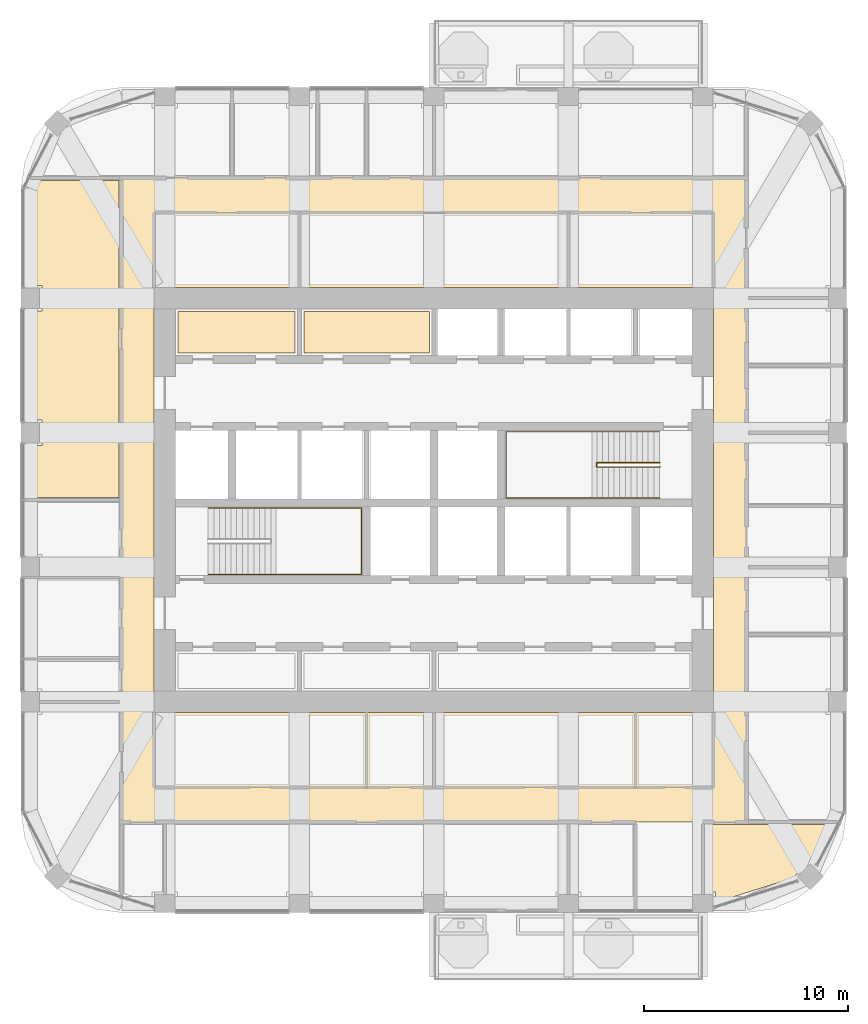
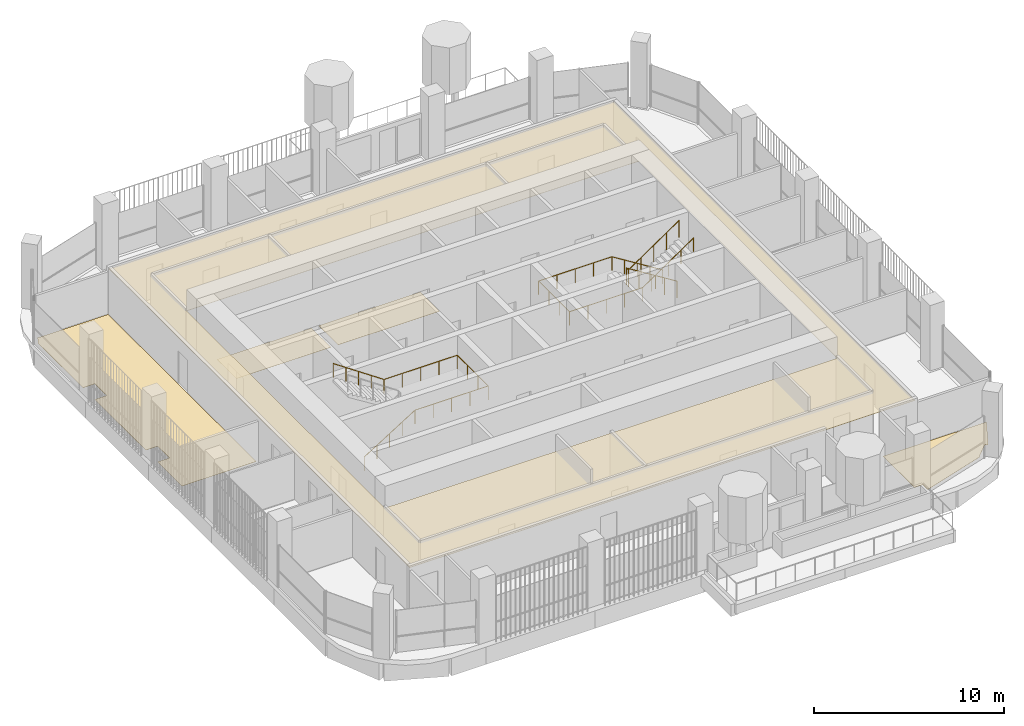
# One storey, part 19 of 21: 5 coverings, 3 railings.
"""IFC4 building model written with IfcOpenShell, lengths in metres."""

from ifc_helpers import new_model, si_unit, direction, frame, origin, place, context, subcontext, project, spatial, polyline, outline, extrude, material, layer, layer_set, type_object, element, save


model = new_model("IFC4")

# Units and contexts
model_context = context("Model", 3, precision=1e-05, world=origin(), true_north=direction((0.0, 1.0)))
body_context = subcontext(model_context, "Body", "Model", "MODEL_VIEW")
ifc_project = project(units=[si_unit("LENGTHUNIT", "METRE"), si_unit("AREAUNIT", "SQUARE_METRE"), si_unit("VOLUMEUNIT", "CUBIC_METRE"), si_unit("PLANEANGLEUNIT", "RADIAN"), si_unit("MASSUNIT", "GRAM", prefix="KILO")], contexts=[model_context])

# Site, building, storey
site_placement = place(None, origin())
site = spatial("IfcSite", under=ifc_project, at=site_placement, CompositionType="ELEMENT")
building_placement = place(site_placement, origin())
building = spatial("IfcBuilding", under=site, at=building_placement, Name="Cobogo Forest Laboratory Tower", CompositionType="ELEMENT")
storey_placement = place(building_placement, frame((0.0, 0.0, 275.39990234375)))
storey = spatial("IfcBuildingStorey", under=building, at=storey_placement, Name="L63", CompositionType="ELEMENT", Elevation=275.39990234375)

# Coverings
ifc_material_1 = material(Name="Mineral fibre ceiling tile", Category="ceiling")
ifc_layer_1 = layer(ifc_material_1, 0.02001953125)
ifc_layer_set_1 = layer_set([ifc_layer_1], Name="CL1 suspended ceiling")
covering_type_1 = type_object("IfcCoveringType", Name="CL1 suspended ceiling", PredefinedType="CEILING", material=ifc_layer_set_1)
covering_1_placement = place(storey_placement, frame((0.0, 0.0, 2.800048828125)))
element("IfcCovering", 1, at=covering_1_placement, inside=storey, type_object=covering_type_1, Name="Corridor ceiling L63", PredefinedType="CEILING", context=body_context, shape_type="SweptSolid", body=[
    extrude(outline(polyline([(11.074951171875, 7.300048828125), (11.074951171875, 38.89990234375), (41.72509765625, 38.89990234375), (41.72509765625, 7.300048828125), (11.074951171875, 7.300048828125)]), holes=[polyline([(40.125, 33.52490234375), (12.675048828125, 33.52490234375), (12.675048828125, 12.675048828125), (40.125, 12.675048828125), (40.125, 33.52490234375)])]), origin(), (0.0, 0.0, 1.0), 0.02001953125),
])
ifc_material_2 = material(Name="Carpet tile on raised access floor", Category="flooring")
ifc_layer_2 = layer(ifc_material_2, 0.008056640625)
ifc_layer_set_2 = layer_set([ifc_layer_2], Name="CT1 carpet tile floor 8")
covering_type_2 = type_object("IfcCoveringType", Name="CT1 carpet tile floor 8", PredefinedType="FLOORING", material=ifc_layer_set_2)
covering_2_placement = place(storey_placement, origin())
element("IfcCovering", 2, at=covering_2_placement, inside=storey, type_object=covering_type_2, Name="Carpet floor L63-11", PredefinedType="FLOORING", context=body_context, shape_type="SweptSolid", body=[
    extrude(outline(polyline([(44.10986328125, 4.583984375), (40.219970703125, 3.35546875), (40.219970703125, 3.8701171875), (39.719970703125, 3.8701171875), (39.719970703125, 7.179931640625), (45.999267578125, 7.179931640625), (45.010986328125, 5.294921875), (44.882080078125, 5.424072265625), (44.075927734375, 4.617919921875), (44.10986328125, 4.583984375)])), origin(), (0.0, 0.0, 1.0), 0.008056640625),
])
covering_3_placement = place(storey_placement, origin())
element("IfcCovering", 3, at=covering_3_placement, inside=storey, type_object=covering_type_2, Name="Carpet floor L63-28", PredefinedType="FLOORING", context=body_context, shape_type="SweptSolid", body=[
    extrude(outline(polyline([(10.955078125, 23.219970703125), (6.449951171875, 23.219970703125), (6.449951171875, 25.780029296875), (7.169921875, 25.780029296875), (7.169921875, 27.02001953125), (6.449951171875, 27.02001953125), (6.449951171875, 32.3798828125), (7.169921875, 32.3798828125), (7.169921875, 33.6201171875), (6.449951171875, 33.6201171875), (6.449951171875, 38.350830078125), (6.675048828125, 38.780029296875), (10.955078125, 38.780029296875), (10.955078125, 23.219970703125)])), origin(), (0.0, 0.0, 1.0), 0.008056640625),
])
covering_4_placement = place(storey_placement, origin())
element("IfcCovering", 4, at=covering_4_placement, inside=storey, type_object=covering_type_2, Name="Carpet floor L63-39", PredefinedType="FLOORING", context=body_context, shape_type="SweptSolid", body=[
    extrude(outline(polyline([(19.580078125, 30.320068359375), (13.844970703125, 30.320068359375), (13.844970703125, 32.35498046875), (19.580078125, 32.35498046875), (19.580078125, 30.320068359375)])), origin(), (0.0, 0.0, 1.0), 0.008056640625),
])

# Railings
ifc_material_3 = material(Name="Steel balustrade", Category="steel")
railing_type_1 = type_object("IfcRailingType", Name="GR stair guard 1100", PredefinedType="GUARDRAIL", material=ifc_material_3)
railing_1_placement = place(storey_placement, frame((37.47509765625, 24.929931640625, 0.175048828125)))
element("IfcRailing", 5, at=railing_1_placement, inside=storey, type_object=railing_type_1, Name="Stair guard ST2 L63", PredefinedType="GUARDRAIL", context=body_context, shape_type="SweptSolid", body=[
    extrude(outline(polyline([(0.022216796875, 0.00927734375), (0.00927734375, 0.022216796875), (-0.00927734375, 0.022216796875), (-0.022216796875, 0.00927734375), (-0.022216796875, -0.00927734375), (-0.00927734375, -0.022216796875), (0.00927734375, -0.022216796875), (0.022216796875, -0.00927734375), (0.022216796875, 0.00927734375)])), frame((0.0, 0.0, 1.077880859375), z_axis=(-0.847998304005, 0.0, 0.529998940003), x_axis=(0.0, -1.0, 0.0)), (0.0, 0.0, 1.0), 3.632080078125),
    extrude(outline(polyline([(0.022216796875, 0.00927734375), (0.00927734375, 0.022216796875), (-0.00927734375, 0.022216796875), (-0.022216796875, 0.00927734375), (-0.022216796875, -0.00927734375), (-0.00927734375, -0.022216796875), (0.00927734375, -0.022216796875), (0.022216796875, -0.00927734375), (0.022216796875, 0.00927734375)])), frame((-3.080078125, 0.0, 3.0029296875), z_axis=(0.0, -1.0, 0.0), x_axis=(1.0, 0.0, 0.0)), (0.0, 0.0, 1.0), 0.2099609375),
    extrude(outline(polyline([(0.022216796875, 0.00927734375), (0.00927734375, 0.022216796875), (-0.00927734375, 0.022216796875), (-0.022216796875, 0.00927734375), (-0.022216796875, -0.00927734375), (-0.00927734375, -0.022216796875), (0.00927734375, -0.022216796875), (0.022216796875, -0.00927734375), (0.022216796875, 0.00927734375)])), frame((-3.080078125, -0.2099609375, 3.0029296875), z_axis=(0.826221800596, 0.0, 0.563344953133), x_axis=(0.0, 1.0, 0.0)), (0.0, 0.0, 1.0), 3.72802734375),
    extrude(outline(polyline([(0.019287109375, 0.008056640625), (0.008056640625, 0.019287109375), (-0.008056640625, 0.019287109375), (-0.019287109375, 0.008056640625), (-0.019287109375, -0.008056640625), (-0.008056640625, -0.019287109375), (0.008056640625, -0.019287109375), (0.019287109375, -0.008056640625), (0.019287109375, 0.008056640625)])), origin(), (0.0, 0.0, 1.0), 1.077880859375),
    extrude(outline(polyline([(0.019287109375, 0.008056640625), (0.008056640625, 0.019287109375), (-0.008056640625, 0.019287109375), (-0.019287109375, 0.008056640625), (-0.019287109375, -0.008056640625), (-0.008056640625, -0.019287109375), (0.008056640625, -0.019287109375), (0.019287109375, -0.008056640625), (0.019287109375, 0.008056640625)])), frame((-0.77001953125, 0.0, 0.481201171875)), (0.0, 0.0, 1.0), 1.077880859375),
    extrude(outline(polyline([(0.019287109375, 0.008056640625), (0.008056640625, 0.019287109375), (-0.008056640625, 0.019287109375), (-0.019287109375, 0.008056640625), (-0.019287109375, -0.008056640625), (-0.008056640625, -0.019287109375), (0.008056640625, -0.019287109375), (0.019287109375, -0.008056640625), (0.019287109375, 0.008056640625)])), frame((-1.5400390625, 0.0, 0.96240234375)), (0.0, 0.0, 1.0), 1.077880859375),
    extrude(outline(polyline([(0.019287109375, 0.008056640625), (0.008056640625, 0.019287109375), (-0.008056640625, 0.019287109375), (-0.019287109375, 0.008056640625), (-0.019287109375, -0.008056640625), (-0.008056640625, -0.019287109375), (0.008056640625, -0.019287109375), (0.019287109375, -0.008056640625), (0.019287109375, 0.008056640625)])), frame((-2.31005859375, 0.0, 1.44384765625)), (0.0, 0.0, 1.0), 1.077880859375),
    extrude(outline(polyline([(0.019287109375, 0.008056640625), (0.008056640625, 0.019287109375), (-0.008056640625, 0.019287109375), (-0.019287109375, 0.008056640625), (-0.019287109375, -0.008056640625), (-0.008056640625, -0.019287109375), (0.008056640625, -0.019287109375), (0.019287109375, -0.008056640625), (0.019287109375, 0.008056640625)])), frame((-3.080078125, 0.0, 1.925048828125)), (0.0, 0.0, 1.0), 1.077880859375),
    extrude(outline(polyline([(0.019287109375, 0.008056640625), (0.008056640625, 0.019287109375), (-0.008056640625, 0.019287109375), (-0.019287109375, 0.008056640625), (-0.019287109375, -0.008056640625), (-0.008056640625, -0.019287109375), (0.008056640625, -0.019287109375), (0.019287109375, -0.008056640625), (0.019287109375, 0.008056640625)])), frame((-3.080078125, -0.2099609375, 1.925048828125)), (0.0, 0.0, 1.0), 1.077880859375),
    extrude(outline(polyline([(0.019287109375, 0.008056640625), (0.008056640625, 0.019287109375), (-0.008056640625, 0.019287109375), (-0.019287109375, 0.008056640625), (-0.019287109375, -0.008056640625), (-0.008056640625, -0.019287109375), (0.008056640625, -0.019287109375), (0.019287109375, -0.008056640625), (0.019287109375, 0.008056640625)])), frame((-2.31005859375, -0.2099609375, 2.4501953125)), (0.0, 0.0, 1.0), 1.077880859375),
    extrude(outline(polyline([(0.019287109375, 0.008056640625), (0.008056640625, 0.019287109375), (-0.008056640625, 0.019287109375), (-0.019287109375, 0.008056640625), (-0.019287109375, -0.008056640625), (-0.008056640625, -0.019287109375), (0.008056640625, -0.019287109375), (0.019287109375, -0.008056640625), (0.019287109375, 0.008056640625)])), frame((-1.5400390625, -0.2099609375, 2.97509765625)), (0.0, 0.0, 1.0), 1.077880859375),
    extrude(outline(polyline([(0.019287109375, 0.008056640625), (0.008056640625, 0.019287109375), (-0.008056640625, 0.019287109375), (-0.019287109375, 0.008056640625), (-0.019287109375, -0.008056640625), (-0.008056640625, -0.019287109375), (0.008056640625, -0.019287109375), (0.019287109375, -0.008056640625), (0.019287109375, 0.008056640625)])), frame((-0.77001953125, -0.2099609375, 3.5)), (0.0, 0.0, 1.0), 1.077880859375),
    extrude(outline(polyline([(0.019287109375, 0.008056640625), (0.008056640625, 0.019287109375), (-0.008056640625, 0.019287109375), (-0.019287109375, 0.008056640625), (-0.019287109375, -0.008056640625), (-0.008056640625, -0.019287109375), (0.008056640625, -0.019287109375), (0.019287109375, -0.008056640625), (0.019287109375, 0.008056640625)])), frame((0.0, -0.2099609375, 4.025146484375)), (0.0, 0.0, 1.0), 1.077880859375),
])
ifc_material_4 = material(Name="Stainless steel handrail", Category="steel")
railing_type_2 = type_object("IfcRailingType", Name="HR handrail 900", PredefinedType="HANDRAIL", material=ifc_material_4)
railing_2_placement = place(storey_placement, frame((15.324951171875, 19.449951171875, 0.175048828125)))
element("IfcRailing", 6, at=railing_2_placement, inside=storey, type_object=railing_type_2, Name="Stair handrail ST1 L63", PredefinedType="HANDRAIL", context=body_context, shape_type="SweptSolid", body=[
    extrude(outline(polyline([(0.022216796875, 0.00927734375), (0.00927734375, 0.022216796875), (-0.00927734375, 0.022216796875), (-0.022216796875, 0.00927734375), (-0.022216796875, -0.00927734375), (-0.00927734375, -0.022216796875), (0.00927734375, -0.022216796875), (0.022216796875, -0.00927734375), (0.022216796875, 0.00927734375)])), frame((0.0, 0.0, 0.877685546875), z_axis=(0.847998304005, 0.0, 0.529998940003), x_axis=(0.0, 1.0, 0.0)), (0.0, 0.0, 1.0), 3.632080078125),
    extrude(outline(polyline([(0.022216796875, 0.00927734375), (0.00927734375, 0.022216796875), (-0.00927734375, 0.022216796875), (-0.022216796875, 0.00927734375), (-0.022216796875, -0.00927734375), (-0.00927734375, -0.022216796875), (0.00927734375, -0.022216796875), (0.022216796875, -0.00927734375), (0.022216796875, 0.00927734375)])), frame((3.080078125, 0.0, 2.802734375), z_axis=(1.0, 0.0, 0.0), x_axis=(0.0, 1.0, 0.0)), (0.0, 0.0, 1.0), 4.445068359375),
    extrude(outline(polyline([(0.022216796875, 0.00927734375), (0.00927734375, 0.022216796875), (-0.00927734375, 0.022216796875), (-0.022216796875, 0.00927734375), (-0.022216796875, -0.00927734375), (-0.00927734375, -0.022216796875), (0.00927734375, -0.022216796875), (0.022216796875, -0.00927734375), (0.022216796875, 0.00927734375)])), frame((7.525146484375, 0.0, 2.802734375), z_axis=(0.0, 1.0, 0.0), x_axis=(-1.0, 0.0, 0.0)), (0.0, 0.0, 1.0), 3.25),
    extrude(outline(polyline([(0.022216796875, 0.00927734375), (0.00927734375, 0.022216796875), (-0.00927734375, 0.022216796875), (-0.022216796875, 0.00927734375), (-0.022216796875, -0.00927734375), (-0.00927734375, -0.022216796875), (0.00927734375, -0.022216796875), (0.022216796875, -0.00927734375), (0.022216796875, 0.00927734375)])), frame((7.525146484375, 3.25, 2.802734375), z_axis=(-1.0, 0.0, 0.0), x_axis=(0.0, -1.0, 0.0)), (0.0, 0.0, 1.0), 4.445068359375),
    extrude(outline(polyline([(0.022216796875, 0.00927734375), (0.00927734375, 0.022216796875), (-0.00927734375, 0.022216796875), (-0.022216796875, 0.00927734375), (-0.022216796875, -0.00927734375), (-0.00927734375, -0.022216796875), (0.00927734375, -0.022216796875), (0.022216796875, -0.00927734375), (0.022216796875, 0.00927734375)])), frame((3.080078125, 3.25, 2.802734375), z_axis=(-0.826221800596, 0.0, 0.563344953133), x_axis=(0.0, -1.0, 0.0)), (0.0, 0.0, 1.0), 3.72802734375),
    extrude(outline(polyline([(0.019287109375, 0.008056640625), (0.008056640625, 0.019287109375), (-0.008056640625, 0.019287109375), (-0.019287109375, 0.008056640625), (-0.019287109375, -0.008056640625), (-0.008056640625, -0.019287109375), (0.008056640625, -0.019287109375), (0.019287109375, -0.008056640625), (0.019287109375, 0.008056640625)])), origin(), (0.0, 0.0, 1.0), 0.877685546875),
    extrude(outline(polyline([(0.019287109375, 0.008056640625), (0.008056640625, 0.019287109375), (-0.008056640625, 0.019287109375), (-0.019287109375, 0.008056640625), (-0.019287109375, -0.008056640625), (-0.008056640625, -0.019287109375), (0.008056640625, -0.019287109375), (0.019287109375, -0.008056640625), (0.019287109375, 0.008056640625)])), frame((0.77001953125, 0.0, 0.481201171875)), (0.0, 0.0, 1.0), 0.877685546875),
    extrude(outline(polyline([(0.019287109375, 0.008056640625), (0.008056640625, 0.019287109375), (-0.008056640625, 0.019287109375), (-0.019287109375, 0.008056640625), (-0.019287109375, -0.008056640625), (-0.008056640625, -0.019287109375), (0.008056640625, -0.019287109375), (0.019287109375, -0.008056640625), (0.019287109375, 0.008056640625)])), frame((1.5400390625, 0.0, 0.96240234375)), (0.0, 0.0, 1.0), 0.877685546875),
    extrude(outline(polyline([(0.019287109375, 0.008056640625), (0.008056640625, 0.019287109375), (-0.008056640625, 0.019287109375), (-0.019287109375, 0.008056640625), (-0.019287109375, -0.008056640625), (-0.008056640625, -0.019287109375), (0.008056640625, -0.019287109375), (0.019287109375, -0.008056640625), (0.019287109375, 0.008056640625)])), frame((2.31005859375, 0.0, 1.44384765625)), (0.0, 0.0, 1.0), 0.877685546875),
    extrude(outline(polyline([(0.019287109375, 0.008056640625), (0.008056640625, 0.019287109375), (-0.008056640625, 0.019287109375), (-0.019287109375, 0.008056640625), (-0.019287109375, -0.008056640625), (-0.008056640625, -0.019287109375), (0.008056640625, -0.019287109375), (0.019287109375, -0.008056640625), (0.019287109375, 0.008056640625)])), frame((3.080078125, 0.0, 1.925048828125)), (0.0, 0.0, 1.0), 0.877685546875),
    extrude(outline(polyline([(0.019287109375, 0.008056640625), (0.008056640625, 0.019287109375), (-0.008056640625, 0.019287109375), (-0.019287109375, 0.008056640625), (-0.019287109375, -0.008056640625), (-0.008056640625, -0.019287109375), (0.008056640625, -0.019287109375), (0.019287109375, -0.008056640625), (0.019287109375, 0.008056640625)])), frame((4.19140625, 0.0, 1.925048828125)), (0.0, 0.0, 1.0), 0.877685546875),
    extrude(outline(polyline([(0.019287109375, 0.008056640625), (0.008056640625, 0.019287109375), (-0.008056640625, 0.019287109375), (-0.019287109375, 0.008056640625), (-0.019287109375, -0.008056640625), (-0.008056640625, -0.019287109375), (0.008056640625, -0.019287109375), (0.019287109375, -0.008056640625), (0.019287109375, 0.008056640625)])), frame((5.302734375, 0.0, 1.925048828125)), (0.0, 0.0, 1.0), 0.877685546875),
    extrude(outline(polyline([(0.019287109375, 0.008056640625), (0.008056640625, 0.019287109375), (-0.008056640625, 0.019287109375), (-0.019287109375, 0.008056640625), (-0.019287109375, -0.008056640625), (-0.008056640625, -0.019287109375), (0.008056640625, -0.019287109375), (0.019287109375, -0.008056640625), (0.019287109375, 0.008056640625)])), frame((6.413818359375, 0.0, 1.925048828125)), (0.0, 0.0, 1.0), 0.877685546875),
    extrude(outline(polyline([(0.019287109375, 0.008056640625), (0.008056640625, 0.019287109375), (-0.008056640625, 0.019287109375), (-0.019287109375, 0.008056640625), (-0.019287109375, -0.008056640625), (-0.008056640625, -0.019287109375), (0.008056640625, -0.019287109375), (0.019287109375, -0.008056640625), (0.019287109375, 0.008056640625)])), frame((7.525146484375, 0.0, 1.925048828125)), (0.0, 0.0, 1.0), 0.877685546875),
    extrude(outline(polyline([(0.019287109375, 0.008056640625), (0.008056640625, 0.019287109375), (-0.008056640625, 0.019287109375), (-0.019287109375, 0.008056640625), (-0.019287109375, -0.008056640625), (-0.008056640625, -0.019287109375), (0.008056640625, -0.019287109375), (0.019287109375, -0.008056640625), (0.019287109375, 0.008056640625)])), frame((7.525146484375, 1.083251953125, 1.925048828125)), (0.0, 0.0, 1.0), 0.877685546875),
    extrude(outline(polyline([(0.019287109375, 0.008056640625), (0.008056640625, 0.019287109375), (-0.008056640625, 0.019287109375), (-0.019287109375, 0.008056640625), (-0.019287109375, -0.008056640625), (-0.008056640625, -0.019287109375), (0.008056640625, -0.019287109375), (0.019287109375, -0.008056640625), (0.019287109375, 0.008056640625)])), frame((7.525146484375, 2.166748046875, 1.925048828125)), (0.0, 0.0, 1.0), 0.877685546875),
    extrude(outline(polyline([(0.019287109375, 0.008056640625), (0.008056640625, 0.019287109375), (-0.008056640625, 0.019287109375), (-0.019287109375, 0.008056640625), (-0.019287109375, -0.008056640625), (-0.008056640625, -0.019287109375), (0.008056640625, -0.019287109375), (0.019287109375, -0.008056640625), (0.019287109375, 0.008056640625)])), frame((7.525146484375, 3.25, 1.925048828125)), (0.0, 0.0, 1.0), 0.877685546875),
    extrude(outline(polyline([(0.019287109375, 0.008056640625), (0.008056640625, 0.019287109375), (-0.008056640625, 0.019287109375), (-0.019287109375, 0.008056640625), (-0.019287109375, -0.008056640625), (-0.008056640625, -0.019287109375), (0.008056640625, -0.019287109375), (0.019287109375, -0.008056640625), (0.019287109375, 0.008056640625)])), frame((6.413818359375, 3.25, 1.925048828125)), (0.0, 0.0, 1.0), 0.877685546875),
    extrude(outline(polyline([(0.019287109375, 0.008056640625), (0.008056640625, 0.019287109375), (-0.008056640625, 0.019287109375), (-0.019287109375, 0.008056640625), (-0.019287109375, -0.008056640625), (-0.008056640625, -0.019287109375), (0.008056640625, -0.019287109375), (0.019287109375, -0.008056640625), (0.019287109375, 0.008056640625)])), frame((5.302734375, 3.25, 1.925048828125)), (0.0, 0.0, 1.0), 0.877685546875),
    extrude(outline(polyline([(0.019287109375, 0.008056640625), (0.008056640625, 0.019287109375), (-0.008056640625, 0.019287109375), (-0.019287109375, 0.008056640625), (-0.019287109375, -0.008056640625), (-0.008056640625, -0.019287109375), (0.008056640625, -0.019287109375), (0.019287109375, -0.008056640625), (0.019287109375, 0.008056640625)])), frame((4.19140625, 3.25, 1.925048828125)), (0.0, 0.0, 1.0), 0.877685546875),
    extrude(outline(polyline([(0.019287109375, 0.008056640625), (0.008056640625, 0.019287109375), (-0.008056640625, 0.019287109375), (-0.019287109375, 0.008056640625), (-0.019287109375, -0.008056640625), (-0.008056640625, -0.019287109375), (0.008056640625, -0.019287109375), (0.019287109375, -0.008056640625), (0.019287109375, 0.008056640625)])), frame((3.080078125, 3.25, 1.925048828125)), (0.0, 0.0, 1.0), 0.877685546875),
    extrude(outline(polyline([(0.019287109375, 0.008056640625), (0.008056640625, 0.019287109375), (-0.008056640625, 0.019287109375), (-0.019287109375, 0.008056640625), (-0.019287109375, -0.008056640625), (-0.008056640625, -0.019287109375), (0.008056640625, -0.019287109375), (0.019287109375, -0.008056640625), (0.019287109375, 0.008056640625)])), frame((2.31005859375, 3.25, 2.4501953125)), (0.0, 0.0, 1.0), 0.877685546875),
    extrude(outline(polyline([(0.019287109375, 0.008056640625), (0.008056640625, 0.019287109375), (-0.008056640625, 0.019287109375), (-0.019287109375, 0.008056640625), (-0.019287109375, -0.008056640625), (-0.008056640625, -0.019287109375), (0.008056640625, -0.019287109375), (0.019287109375, -0.008056640625), (0.019287109375, 0.008056640625)])), frame((1.5400390625, 3.25, 2.97509765625)), (0.0, 0.0, 1.0), 0.877685546875),
    extrude(outline(polyline([(0.019287109375, 0.008056640625), (0.008056640625, 0.019287109375), (-0.008056640625, 0.019287109375), (-0.019287109375, 0.008056640625), (-0.019287109375, -0.008056640625), (-0.008056640625, -0.019287109375), (0.008056640625, -0.019287109375), (0.019287109375, -0.008056640625), (0.019287109375, 0.008056640625)])), frame((0.77001953125, 3.25, 3.5)), (0.0, 0.0, 1.0), 0.877685546875),
    extrude(outline(polyline([(0.019287109375, 0.008056640625), (0.008056640625, 0.019287109375), (-0.008056640625, 0.019287109375), (-0.019287109375, 0.008056640625), (-0.019287109375, -0.008056640625), (-0.008056640625, -0.019287109375), (0.008056640625, -0.019287109375), (0.019287109375, -0.008056640625), (0.019287109375, 0.008056640625)])), frame((0.0, 3.25, 4.025146484375)), (0.0, 0.0, 1.0), 0.877685546875),
])
railing_3_placement = place(storey_placement, frame((37.47509765625, 26.449951171875, 0.175048828125)))
element("IfcRailing", 7, at=railing_3_placement, inside=storey, type_object=railing_type_2, Name="Stair handrail ST2 L63", PredefinedType="HANDRAIL", context=body_context, shape_type="SweptSolid", body=[
    extrude(outline(polyline([(0.022216796875, 0.00927734375), (0.00927734375, 0.022216796875), (-0.00927734375, 0.022216796875), (-0.022216796875, 0.00927734375), (-0.022216796875, -0.00927734375), (-0.00927734375, -0.022216796875), (0.00927734375, -0.022216796875), (0.022216796875, -0.00927734375), (0.022216796875, 0.00927734375)])), frame((0.0, 0.0, 0.877685546875), z_axis=(-0.847998304005, 0.0, 0.529998940003), x_axis=(0.0, -1.0, 0.0)), (0.0, 0.0, 1.0), 3.632080078125),
    extrude(outline(polyline([(0.022216796875, 0.00927734375), (0.00927734375, 0.022216796875), (-0.00927734375, 0.022216796875), (-0.022216796875, 0.00927734375), (-0.022216796875, -0.00927734375), (-0.00927734375, -0.022216796875), (0.00927734375, -0.022216796875), (0.022216796875, -0.00927734375), (0.022216796875, 0.00927734375)])), frame((-3.080078125, 0.0, 2.802734375), z_axis=(-1.0, 0.0, 0.0), x_axis=(0.0, -1.0, 0.0)), (0.0, 0.0, 1.0), 4.445068359375),
    extrude(outline(polyline([(0.022216796875, 0.00927734375), (0.00927734375, 0.022216796875), (-0.00927734375, 0.022216796875), (-0.022216796875, 0.00927734375), (-0.022216796875, -0.00927734375), (-0.00927734375, -0.022216796875), (0.00927734375, -0.022216796875), (0.022216796875, -0.00927734375), (0.022216796875, 0.00927734375)])), frame((-7.525146484375, 0.0, 2.802734375), z_axis=(0.0, -1.0, 0.0), x_axis=(1.0, 0.0, 0.0)), (0.0, 0.0, 1.0), 3.25),
    extrude(outline(polyline([(0.022216796875, 0.00927734375), (0.00927734375, 0.022216796875), (-0.00927734375, 0.022216796875), (-0.022216796875, 0.00927734375), (-0.022216796875, -0.00927734375), (-0.00927734375, -0.022216796875), (0.00927734375, -0.022216796875), (0.022216796875, -0.00927734375), (0.022216796875, 0.00927734375)])), frame((-7.525146484375, -3.25, 2.802734375), z_axis=(1.0, 0.0, 0.0), x_axis=(0.0, 1.0, 0.0)), (0.0, 0.0, 1.0), 4.445068359375),
    extrude(outline(polyline([(0.022216796875, 0.00927734375), (0.00927734375, 0.022216796875), (-0.00927734375, 0.022216796875), (-0.022216796875, 0.00927734375), (-0.022216796875, -0.00927734375), (-0.00927734375, -0.022216796875), (0.00927734375, -0.022216796875), (0.022216796875, -0.00927734375), (0.022216796875, 0.00927734375)])), frame((-3.080078125, -3.25, 2.802734375), z_axis=(0.826221800596, 0.0, 0.563344953133), x_axis=(0.0, 1.0, 0.0)), (0.0, 0.0, 1.0), 3.72802734375),
    extrude(outline(polyline([(0.019287109375, 0.008056640625), (0.008056640625, 0.019287109375), (-0.008056640625, 0.019287109375), (-0.019287109375, 0.008056640625), (-0.019287109375, -0.008056640625), (-0.008056640625, -0.019287109375), (0.008056640625, -0.019287109375), (0.019287109375, -0.008056640625), (0.019287109375, 0.008056640625)])), origin(), (0.0, 0.0, 1.0), 0.877685546875),
    extrude(outline(polyline([(0.019287109375, 0.008056640625), (0.008056640625, 0.019287109375), (-0.008056640625, 0.019287109375), (-0.019287109375, 0.008056640625), (-0.019287109375, -0.008056640625), (-0.008056640625, -0.019287109375), (0.008056640625, -0.019287109375), (0.019287109375, -0.008056640625), (0.019287109375, 0.008056640625)])), frame((-0.77001953125, 0.0, 0.481201171875)), (0.0, 0.0, 1.0), 0.877685546875),
    extrude(outline(polyline([(0.019287109375, 0.008056640625), (0.008056640625, 0.019287109375), (-0.008056640625, 0.019287109375), (-0.019287109375, 0.008056640625), (-0.019287109375, -0.008056640625), (-0.008056640625, -0.019287109375), (0.008056640625, -0.019287109375), (0.019287109375, -0.008056640625), (0.019287109375, 0.008056640625)])), frame((-1.5400390625, 0.0, 0.96240234375)), (0.0, 0.0, 1.0), 0.877685546875),
    extrude(outline(polyline([(0.019287109375, 0.008056640625), (0.008056640625, 0.019287109375), (-0.008056640625, 0.019287109375), (-0.019287109375, 0.008056640625), (-0.019287109375, -0.008056640625), (-0.008056640625, -0.019287109375), (0.008056640625, -0.019287109375), (0.019287109375, -0.008056640625), (0.019287109375, 0.008056640625)])), frame((-2.31005859375, 0.0, 1.44384765625)), (0.0, 0.0, 1.0), 0.877685546875),
    extrude(outline(polyline([(0.019287109375, 0.008056640625), (0.008056640625, 0.019287109375), (-0.008056640625, 0.019287109375), (-0.019287109375, 0.008056640625), (-0.019287109375, -0.008056640625), (-0.008056640625, -0.019287109375), (0.008056640625, -0.019287109375), (0.019287109375, -0.008056640625), (0.019287109375, 0.008056640625)])), frame((-3.080078125, 0.0, 1.925048828125)), (0.0, 0.0, 1.0), 0.877685546875),
    extrude(outline(polyline([(0.019287109375, 0.008056640625), (0.008056640625, 0.019287109375), (-0.008056640625, 0.019287109375), (-0.019287109375, 0.008056640625), (-0.019287109375, -0.008056640625), (-0.008056640625, -0.019287109375), (0.008056640625, -0.019287109375), (0.019287109375, -0.008056640625), (0.019287109375, 0.008056640625)])), frame((-4.19140625, 0.0, 1.925048828125)), (0.0, 0.0, 1.0), 0.877685546875),
    extrude(outline(polyline([(0.019287109375, 0.008056640625), (0.008056640625, 0.019287109375), (-0.008056640625, 0.019287109375), (-0.019287109375, 0.008056640625), (-0.019287109375, -0.008056640625), (-0.008056640625, -0.019287109375), (0.008056640625, -0.019287109375), (0.019287109375, -0.008056640625), (0.019287109375, 0.008056640625)])), frame((-5.302734375, 0.0, 1.925048828125)), (0.0, 0.0, 1.0), 0.877685546875),
    extrude(outline(polyline([(0.019287109375, 0.008056640625), (0.008056640625, 0.019287109375), (-0.008056640625, 0.019287109375), (-0.019287109375, 0.008056640625), (-0.019287109375, -0.008056640625), (-0.008056640625, -0.019287109375), (0.008056640625, -0.019287109375), (0.019287109375, -0.008056640625), (0.019287109375, 0.008056640625)])), frame((-6.413818359375, 0.0, 1.925048828125)), (0.0, 0.0, 1.0), 0.877685546875),
    extrude(outline(polyline([(0.019287109375, 0.008056640625), (0.008056640625, 0.019287109375), (-0.008056640625, 0.019287109375), (-0.019287109375, 0.008056640625), (-0.019287109375, -0.008056640625), (-0.008056640625, -0.019287109375), (0.008056640625, -0.019287109375), (0.019287109375, -0.008056640625), (0.019287109375, 0.008056640625)])), frame((-7.525146484375, 0.0, 1.925048828125)), (0.0, 0.0, 1.0), 0.877685546875),
    extrude(outline(polyline([(0.019287109375, 0.008056640625), (0.008056640625, 0.019287109375), (-0.008056640625, 0.019287109375), (-0.019287109375, 0.008056640625), (-0.019287109375, -0.008056640625), (-0.008056640625, -0.019287109375), (0.008056640625, -0.019287109375), (0.019287109375, -0.008056640625), (0.019287109375, 0.008056640625)])), frame((-7.525146484375, -1.083251953125, 1.925048828125)), (0.0, 0.0, 1.0), 0.877685546875),
    extrude(outline(polyline([(0.019287109375, 0.008056640625), (0.008056640625, 0.019287109375), (-0.008056640625, 0.019287109375), (-0.019287109375, 0.008056640625), (-0.019287109375, -0.008056640625), (-0.008056640625, -0.019287109375), (0.008056640625, -0.019287109375), (0.019287109375, -0.008056640625), (0.019287109375, 0.008056640625)])), frame((-7.525146484375, -2.166748046875, 1.925048828125)), (0.0, 0.0, 1.0), 0.877685546875),
    extrude(outline(polyline([(0.019287109375, 0.008056640625), (0.008056640625, 0.019287109375), (-0.008056640625, 0.019287109375), (-0.019287109375, 0.008056640625), (-0.019287109375, -0.008056640625), (-0.008056640625, -0.019287109375), (0.008056640625, -0.019287109375), (0.019287109375, -0.008056640625), (0.019287109375, 0.008056640625)])), frame((-7.525146484375, -3.25, 1.925048828125)), (0.0, 0.0, 1.0), 0.877685546875),
    extrude(outline(polyline([(0.019287109375, 0.008056640625), (0.008056640625, 0.019287109375), (-0.008056640625, 0.019287109375), (-0.019287109375, 0.008056640625), (-0.019287109375, -0.008056640625), (-0.008056640625, -0.019287109375), (0.008056640625, -0.019287109375), (0.019287109375, -0.008056640625), (0.019287109375, 0.008056640625)])), frame((-6.413818359375, -3.25, 1.925048828125)), (0.0, 0.0, 1.0), 0.877685546875),
    extrude(outline(polyline([(0.019287109375, 0.008056640625), (0.008056640625, 0.019287109375), (-0.008056640625, 0.019287109375), (-0.019287109375, 0.008056640625), (-0.019287109375, -0.008056640625), (-0.008056640625, -0.019287109375), (0.008056640625, -0.019287109375), (0.019287109375, -0.008056640625), (0.019287109375, 0.008056640625)])), frame((-5.302734375, -3.25, 1.925048828125)), (0.0, 0.0, 1.0), 0.877685546875),
    extrude(outline(polyline([(0.019287109375, 0.008056640625), (0.008056640625, 0.019287109375), (-0.008056640625, 0.019287109375), (-0.019287109375, 0.008056640625), (-0.019287109375, -0.008056640625), (-0.008056640625, -0.019287109375), (0.008056640625, -0.019287109375), (0.019287109375, -0.008056640625), (0.019287109375, 0.008056640625)])), frame((-4.19140625, -3.25, 1.925048828125)), (0.0, 0.0, 1.0), 0.877685546875),
    extrude(outline(polyline([(0.019287109375, 0.008056640625), (0.008056640625, 0.019287109375), (-0.008056640625, 0.019287109375), (-0.019287109375, 0.008056640625), (-0.019287109375, -0.008056640625), (-0.008056640625, -0.019287109375), (0.008056640625, -0.019287109375), (0.019287109375, -0.008056640625), (0.019287109375, 0.008056640625)])), frame((-3.080078125, -3.25, 1.925048828125)), (0.0, 0.0, 1.0), 0.877685546875),
    extrude(outline(polyline([(0.019287109375, 0.008056640625), (0.008056640625, 0.019287109375), (-0.008056640625, 0.019287109375), (-0.019287109375, 0.008056640625), (-0.019287109375, -0.008056640625), (-0.008056640625, -0.019287109375), (0.008056640625, -0.019287109375), (0.019287109375, -0.008056640625), (0.019287109375, 0.008056640625)])), frame((-2.31005859375, -3.25, 2.4501953125)), (0.0, 0.0, 1.0), 0.877685546875),
    extrude(outline(polyline([(0.019287109375, 0.008056640625), (0.008056640625, 0.019287109375), (-0.008056640625, 0.019287109375), (-0.019287109375, 0.008056640625), (-0.019287109375, -0.008056640625), (-0.008056640625, -0.019287109375), (0.008056640625, -0.019287109375), (0.019287109375, -0.008056640625), (0.019287109375, 0.008056640625)])), frame((-1.5400390625, -3.25, 2.97509765625)), (0.0, 0.0, 1.0), 0.877685546875),
    extrude(outline(polyline([(0.019287109375, 0.008056640625), (0.008056640625, 0.019287109375), (-0.008056640625, 0.019287109375), (-0.019287109375, 0.008056640625), (-0.019287109375, -0.008056640625), (-0.008056640625, -0.019287109375), (0.008056640625, -0.019287109375), (0.019287109375, -0.008056640625), (0.019287109375, 0.008056640625)])), frame((-0.77001953125, -3.25, 3.5)), (0.0, 0.0, 1.0), 0.877685546875),
    extrude(outline(polyline([(0.019287109375, 0.008056640625), (0.008056640625, 0.019287109375), (-0.008056640625, 0.019287109375), (-0.019287109375, 0.008056640625), (-0.019287109375, -0.008056640625), (-0.008056640625, -0.019287109375), (0.008056640625, -0.019287109375), (0.019287109375, -0.008056640625), (0.019287109375, 0.008056640625)])), frame((0.0, -3.25, 4.025146484375)), (0.0, 0.0, 1.0), 0.877685546875),
])

# Covering
ifc_material_5 = material(Name="Ceramic floor tile", Category="flooring")
ifc_layer_3 = layer(ifc_material_5, 0.010009765625)
ifc_layer_set_3 = layer_set([ifc_layer_3], Name="TF1 ceramic tile floor 10")
covering_type_3 = type_object("IfcCoveringType", Name="TF1 ceramic tile floor 10", PredefinedType="FLOORING", material=ifc_layer_set_3)
covering_5_placement = place(storey_placement, origin())
element("IfcCovering", 8, at=covering_5_placement, inside=storey, type_object=covering_type_3, Name="Tile floor L63-40", PredefinedType="FLOORING", context=body_context, shape_type="SweptSolid", body=[
    extrude(outline(polyline([(26.179931640625, 30.320068359375), (20.02001953125, 30.320068359375), (20.02001953125, 32.35498046875), (26.179931640625, 32.35498046875), (26.179931640625, 30.320068359375)])), origin(), (0.0, 0.0, 1.0), 0.010009765625),
])

save(model, "model.ifc")
